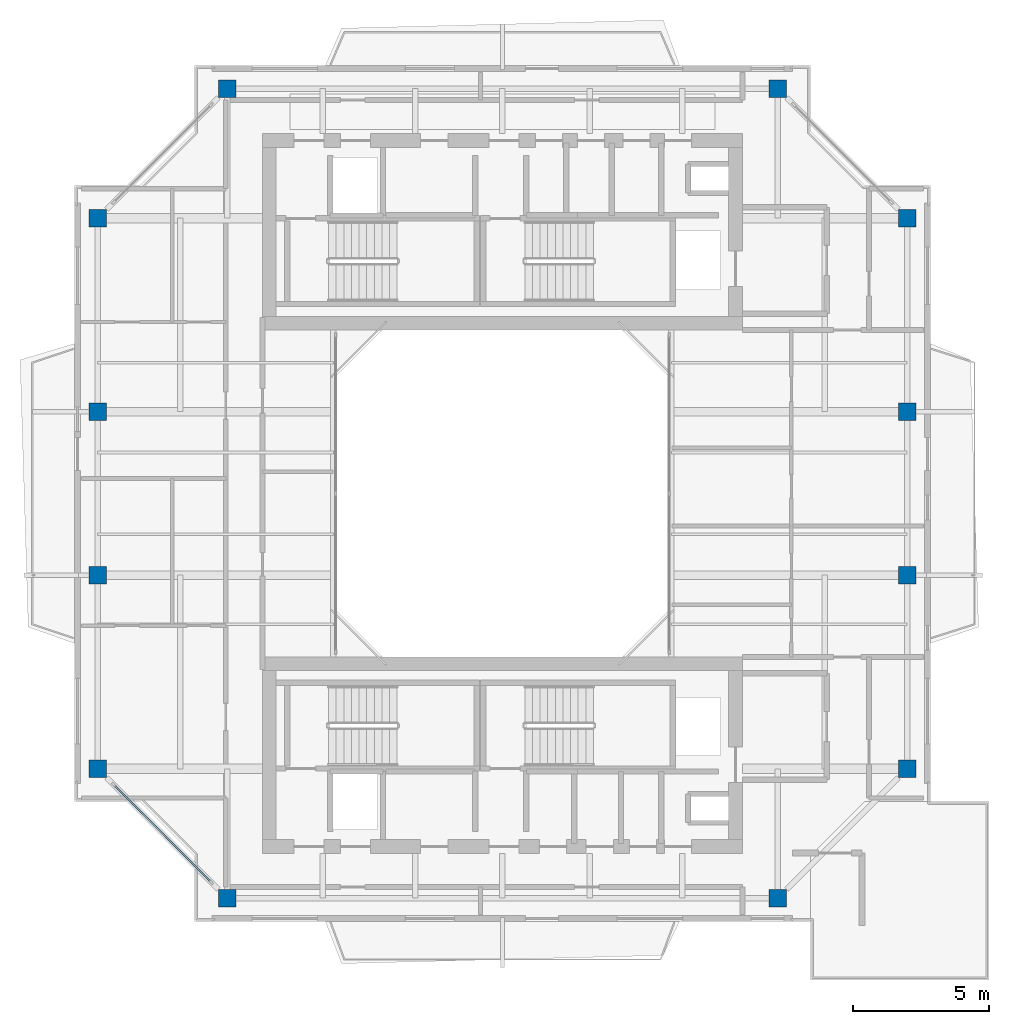
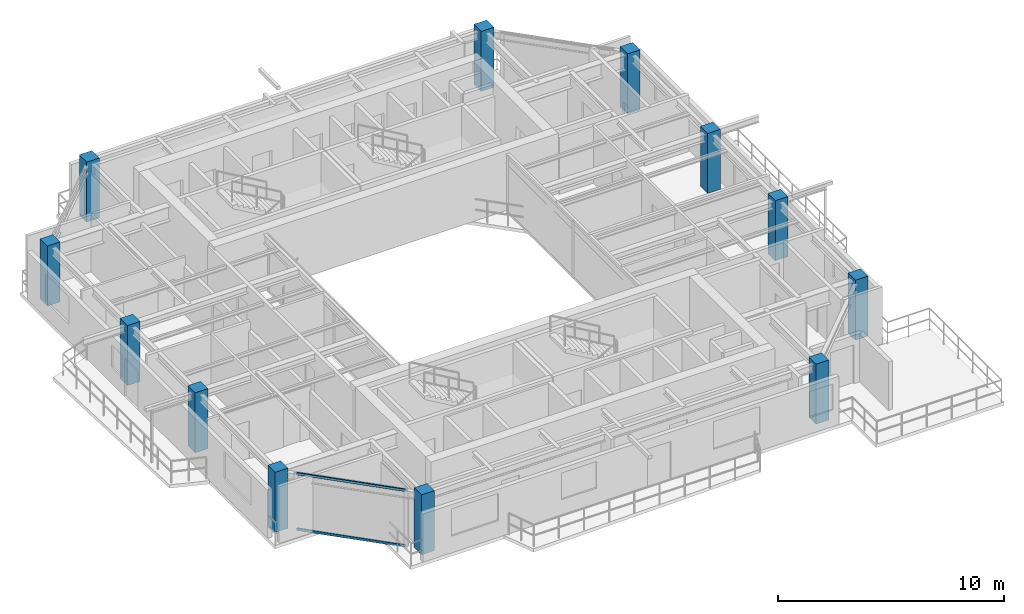
# One storey, part 1 of 14: 12 columns, 2 members, 1 element without a shape of its own.
"""IFC4 building model written with IfcOpenShell, lengths in metres."""

from ifc_helpers import new_model, si_unit, direction, frame, origin, origin_2d, place, context, subcontext, project, spatial, rectangle, extrude, source, transform, mapped, material, layer, layer_set, material_profile, profile_set, type_object, element, aggregate, save


model = new_model("IFC4")

# Units and contexts
model_context = context("Model", 3, precision=1e-05, world=origin(), true_north=direction((0.0, 1.0)))
body_context = subcontext(model_context, "Body", "Model", "MODEL_VIEW")
ifc_project = project(units=[si_unit("LENGTHUNIT", "METRE"), si_unit("AREAUNIT", "SQUARE_METRE"), si_unit("VOLUMEUNIT", "CUBIC_METRE"), si_unit("PLANEANGLEUNIT", "RADIAN"), si_unit("MASSUNIT", "GRAM", prefix="KILO"), si_unit("THERMODYNAMICTEMPERATUREUNIT", "KELVIN"), si_unit("POWERUNIT", "WATT")], contexts=[model_context])

# Site, building, storey
site_placement = place(None, origin())
site = spatial("IfcSite", under=ifc_project, at=site_placement, CompositionType="ELEMENT")
building_placement = place(site_placement, origin())
building = spatial("IfcBuilding", under=site, at=building_placement, Name="Qiaomeng Ring Towers", CompositionType="ELEMENT")
storey_placement = place(building_placement, frame((0.0, 0.0, 253.5)))
storey = spatial("IfcBuildingStorey", under=building, at=storey_placement, Name="L74", CompositionType="ELEMENT", Elevation=253.5)

# Columns
ifc_material_1 = material(Name="Concrete C40", Category="concrete")
ifc_material_profile_1 = material_profile(ifc_material_1, rectangle(XDim=0.64990234375, YDim=0.64990234375, at=origin_2d()), Name="RC COL 650x650")
ifc_profile_set_1 = profile_set([ifc_material_profile_1], Name="Concrete C40")
column_type = type_object("IfcColumnType", Name="STR-COL-650-C40", PredefinedType="COLUMN", material=ifc_profile_set_1)
shared_shape_1 = source(origin(), body_context, "Body", "SweptSolid", [
    extrude(rectangle(XDim=0.64990234375, YDim=0.64990234375, at=origin_2d()), origin(), (0.0, 0.0, 1.0), 3.25),
])
for number, where, z_axis, x_axis, name in (
    (1, (8.89990234375, 8.14990234375, 0.0), (0.0, 0.0, 1.0), (1.0, 0.0, 0.0), "L74 column STR-COL-L74-T1-S1"),
    (2, (29.10009765625, 8.14990234375, 0.0), (0.0, 0.0, 1.0), (1.0, 0.0, 0.0), "L74 column STR-COL-L74-T1-S2"),
    (3, (33.85009765625, 12.89990234375, 0.0), (0.0, 0.0, 1.0), (1.0, 0.0, 0.0), "L74 column STR-COL-L74-T1-E1"),
    (4, (33.85009765625, 20.0, 0.0), (0.0, 0.0, 1.0), (1.0, 0.0, 0.0), "L74 column STR-COL-L74-T1-E2"),
    (5, (33.85009765625, 26.0, 0.0), (0.0, 0.0, 1.0), (1.0, 0.0, 0.0), "L74 column STR-COL-L74-T1-E3"),
    (6, (33.85009765625, 33.10009765625, 0.0), (0.0, 0.0, 1.0), (1.0, 0.0, 0.0), "L74 column STR-COL-L74-T1-E4"),
    (7, (29.10009765625, 37.85009765625, 0.0), (0.0, 0.0, 1.0), (1.0, 0.0, 0.0), "L74 column STR-COL-L74-T1-N2"),
    (8, (8.89990234375, 37.85009765625, 0.0), (0.0, 0.0, 1.0), (1.0, 0.0, 0.0), "L74 column STR-COL-L74-T1-N1"),
    (9, (4.14990234375, 33.10009765625, 0.0), (0.0, 0.0, 1.0), (1.0, 0.0, 0.0), "L74 column STR-COL-L74-T1-W4"),
    (10, (4.14990234375, 26.0, 0.0), (0.0, 0.0, 1.0), (1.0, 0.0, 0.0), "L74 column STR-COL-L74-T1-W3"),
    (11, (4.14990234375, 20.0, 0.0), (0.0, 0.0, 1.0), (1.0, 0.0, 0.0), "L74 column STR-COL-L74-T1-W2"),
    (12, (4.14990234375, 12.89990234375, 0.0), (0.0, 0.0, 1.0), (1.0, 0.0, 0.0), "L74 column STR-COL-L74-T1-W1"),
):
    element("IfcColumn", number, at=place(storey_placement, frame(where, z_axis=z_axis, x_axis=x_axis)), inside=storey, type_object=column_type, Name=name, PredefinedType="COLUMN", context=body_context, shape_type="MappedRepresentation", body=[
        mapped(shared_shape_1, transform((0.0, 0.0, 0.0), x_axis=(1.0, 0.0, 0.0), y_axis=(0.0, 1.0, 0.0), z_axis=(0.0, 0.0, 1.0), scale=1.0)),
    ])

# Curtain wall, members
ifc_material_2 = material(Name="Fluorocarbon dark-grey aluminium", Category="aluminium")
ifc_layer = layer(ifc_material_2, 0.14990234375, Name="Fluorocarbon dark-grey aluminium")
ifc_layer_set = layer_set([ifc_layer], Name="Fluorocarbon dark-grey aluminium")
curtain_wall_type = type_object("IfcCurtainWallType", Name="ARC-CW-3", PredefinedType="NOTDEFINED", material=ifc_layer_set)
curtain_wall_placement = place(storey_placement, origin())
curtain_wall = element("IfcCurtainWall", 13, at=curtain_wall_placement, inside=storey, type_object=curtain_wall_type, Name="L74 Curtain Wall CW3", PredefinedType="NOTDEFINED")
ifc_material_profile_2 = material_profile(ifc_material_2, rectangle(XDim=0.06494140625, YDim=0.1298828125, at=origin_2d()), Name="ALU TRAN 65x130")
ifc_profile_set_2 = profile_set([ifc_material_profile_2], Name="Fluorocarbon dark-grey aluminium")
member_type = type_object("IfcMemberType", Name="ARC-CWT-120", PredefinedType="USERDEFINED", material=ifc_profile_set_2)
shared_shape_2 = source(origin(), body_context, "Body", "SweptSolid", [
    extrude(rectangle(XDim=0.06494140625, YDim=0.1298828125, at=origin_2d()), origin(), (0.0, 0.0, 1.0), 4.9794921875),
])
member_1_placement = place(storey_placement, frame((4.764404296875, 12.285400390625, 0.032470703125), z_axis=(0.707106781187, -0.707106781187, 0.0), x_axis=(0.707106781187, 0.707106781187, 0.0)))
member_1 = element("IfcMember", 14, at=member_1_placement, type_object=member_type, Name="CW3 transom 1.1", ObjectType="TRANSOM", PredefinedType="USERDEFINED", context=body_context, shape_type="MappedRepresentation", body=[
    mapped(shared_shape_2, transform((0.0, 0.0, 0.0), x_axis=(1.0, 0.0, 0.0), y_axis=(0.0, 1.0, 0.0), z_axis=(0.0, 0.0, 1.0), scale=1.0)),
])
member_2_placement = place(storey_placement, frame((4.764404296875, 12.285400390625, 3.03759765625), z_axis=(0.707106781187, -0.707106781187, 0.0), x_axis=(0.707106781187, 0.707106781187, 0.0)))
member_2 = element("IfcMember", 15, at=member_2_placement, type_object=member_type, Name="CW3 transom 1.2", ObjectType="TRANSOM", PredefinedType="USERDEFINED", context=body_context, shape_type="MappedRepresentation", body=[
    mapped(shared_shape_2, transform((0.0, 0.0, 0.0), x_axis=(1.0, 0.0, 0.0), y_axis=(0.0, 1.0, 0.0), z_axis=(0.0, 0.0, 1.0), scale=1.0)),
])
aggregate(curtain_wall, [member_1, member_2])

save(model, "model.ifc")
